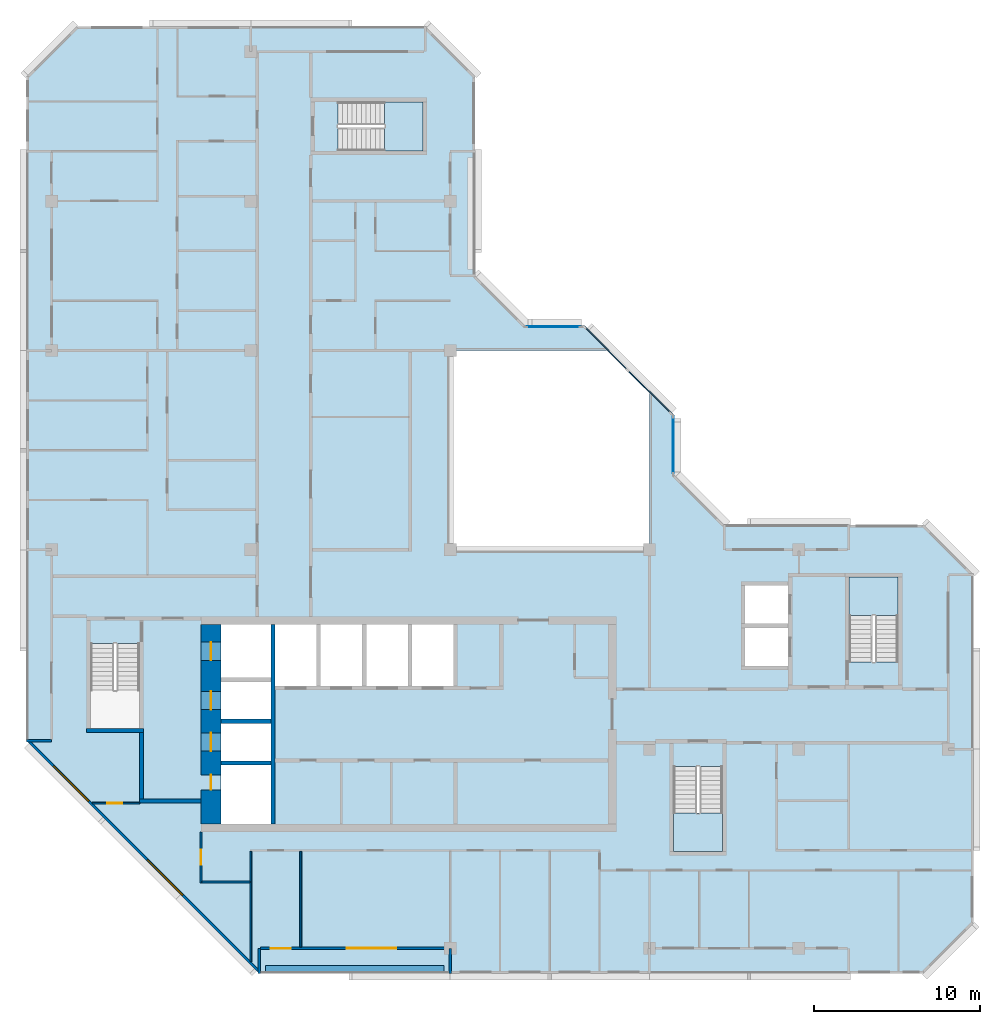
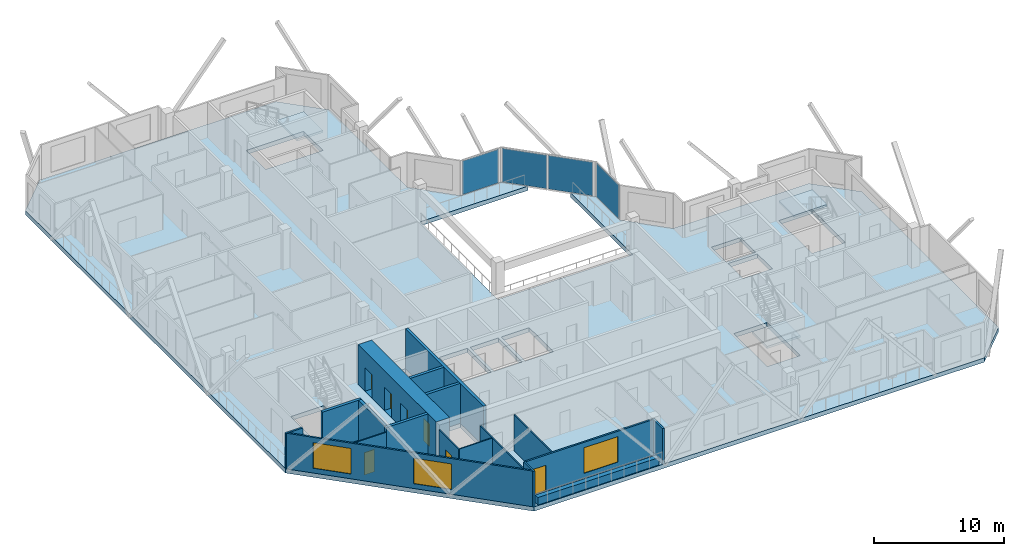
# One storey, part 3 of 12: 18 walls, 7 doors, 4 plates, 4 slabs, 3 windows, 10 openings, 6 elements without a shape of their own.
"""IFC4 building model written with IfcOpenShell, lengths in metres."""

from ifc_helpers import new_model, si_unit, direction, frame, frame_2d, origin, origin_2d, place, context, subcontext, project, spatial, polyline, rectangle, outline, extrude, material, layer, layer_set, type_object, element, fill, aggregate, save


model = new_model("IFC4")

# Units and contexts
model_context = context("Model", 3, precision=1e-05, world=origin(), true_north=direction((0.0, 1.0)))
body_context = subcontext(model_context, "Body", "Model", "MODEL_VIEW")
ifc_project = project(units=[si_unit("LENGTHUNIT", "METRE"), si_unit("AREAUNIT", "SQUARE_METRE"), si_unit("VOLUMEUNIT", "CUBIC_METRE"), si_unit("PLANEANGLEUNIT", "RADIAN"), si_unit("MASSUNIT", "GRAM", prefix="KILO")], contexts=[model_context])

# Site, building, storey
site_placement = place(None, origin())
site = spatial("IfcSite", under=ifc_project, at=site_placement, CompositionType="ELEMENT")
building_placement = place(site_placement, origin())
building = spatial("IfcBuilding", under=site, at=building_placement, Name="Chenar Terraces", CompositionType="ELEMENT")
storey_placement = place(building_placement, frame((0.0, 0.0, 361.39990234375)))
storey = spatial("IfcBuildingStorey", under=building, at=storey_placement, Name="L84", CompositionType="ELEMENT", Elevation=361.39990234375)

# Curtain wall, plate
ifc_material_1 = material(Name="Aluminium framed glazing", Category="aluminium")
ifc_layer_1 = layer(ifc_material_1, 0.14990234375)
ifc_layer_set_1 = layer_set([ifc_layer_1], Name="Aluminium framed glazing")
curtain_wall_type = type_object("IfcCurtainWallType", Name="Atrium upper-zone curtain wall", PredefinedType="NOTDEFINED", material=ifc_layer_set_1)
placement_1 = place(storey_placement, origin())
curtain_wall_1 = element("IfcCurtainWall", 1, at=placement_1, inside=storey, type_object=curtain_wall_type, Name="Atrium upper-zone curtain wall", PredefinedType="NOTDEFINED")
ifc_material_2 = material(Name="Low emissivity laminated glass, solar control coating", Category="glass")
ifc_layer_2 = layer(ifc_material_2, 0.050048828125)
ifc_layer_set_2 = layer_set([ifc_layer_2], Name="Low emissivity laminated glass, solar control coating")
plate_type = type_object("IfcPlateType", Name="Atrium upper-zone glazing panel 50", PredefinedType="CURTAIN_PANEL", material=ifc_layer_set_2)
plate_1_placement = place(storey_placement, frame((37.425048828125, 30.300048828125, 0.10009765625), z_axis=(0.0, 0.0, 1.0), x_axis=(0.0, 1.0, 0.0)))
plate_1 = element("IfcPlate", 2, at=plate_1_placement, type_object=plate_type, Name="CW8-1 panel 1.1", PredefinedType="CURTAIN_PANEL", context=body_context, shape_type="SweptSolid", body=[
    extrude(rectangle(XDim=3.39990234375, YDim=0.050048828125, at=origin_2d()), origin(), (0.0, 0.0, 1.0), 3.14990234375),
])
aggregate(curtain_wall_1, [plate_1])

# Curtain wall, plates
curtain_wall_2 = element("IfcCurtainWall", 3, at=placement_1, inside=storey, type_object=curtain_wall_type, Name="Atrium upper-zone curtain wall", PredefinedType="NOTDEFINED")
plate_2_placement = place(storey_placement, frame((35.97314453125, 33.520751953125, 0.10009765625), z_axis=(0.0, 0.0, 1.0), x_axis=(-0.707106781187, 0.707106781187, 0.0)))
plate_2 = element("IfcPlate", 4, at=plate_2_placement, type_object=plate_type, Name="CW8-2 panel 1.1", PredefinedType="CURTAIN_PANEL", context=body_context, shape_type="SweptSolid", body=[
    extrude(rectangle(XDim=3.568359375, YDim=0.050048828125, at=origin_2d()), origin(), (0.0, 0.0, 1.0), 3.14990234375),
])
plate_3_placement = place(storey_placement, frame((33.379150390625, 36.11474609375, 0.10009765625), z_axis=(0.0, 0.0, 1.0), x_axis=(-0.707106781187, 0.707106781187, 0.0)))
plate_3 = element("IfcPlate", 5, at=plate_3_placement, type_object=plate_type, Name="CW8-2 panel 2.1", PredefinedType="CURTAIN_PANEL", context=body_context, shape_type="SweptSolid", body=[
    extrude(rectangle(XDim=3.568359375, YDim=0.050048828125, at=origin_2d()), origin(), (0.0, 0.0, 1.0), 3.14990234375),
])
aggregate(curtain_wall_2, [plate_2, plate_3])

# Curtain wall, plate
curtain_wall_3 = element("IfcCurtainWall", 6, at=placement_1, inside=storey, type_object=curtain_wall_type, Name="Atrium upper-zone curtain wall", PredefinedType="NOTDEFINED")
plate_4_placement = place(storey_placement, frame((30.199951171875, 37.425048828125, 0.10009765625), z_axis=(0.0, 0.0, 1.0), x_axis=(-1.0, 0.0, 0.0)))
plate_4 = element("IfcPlate", 7, at=plate_4_placement, type_object=plate_type, Name="CW8-3 panel 1.1", PredefinedType="CURTAIN_PANEL", context=body_context, shape_type="SweptSolid", body=[
    extrude(rectangle(XDim=3.199951171875, YDim=0.050048828125, at=origin_2d()), origin(), (0.0, 0.0, 1.0), 3.14990234375),
])
aggregate(curtain_wall_3, [plate_4])

# Stair, slab
ifc_material_3 = material(Name="Reinforced concrete C40/50", Category="concrete")
stair_type = type_object("IfcStairType", Name="Core stair 1400 half-turn", PredefinedType="HALF_TURN_STAIR", material=ifc_material_3)
stair_1 = element("IfcStair", 8, at=placement_1, inside=storey, type_object=stair_type, Name="L84 Stair 2", PredefinedType="HALF_TURN_STAIR")
ifc_material_4 = material(Name="Reinforced concrete C40/50", Category="concrete")
ifc_layer_3 = layer(ifc_material_4, 0.199951171875)
ifc_layer_set_3 = layer_set([ifc_layer_3], Name="Reinforced concrete C40/50")
slab_type_1 = type_object("IfcSlabType", Name="Core stair landing 200", PredefinedType="LANDING", material=ifc_layer_set_3)
placement_2 = place(storey_placement, frame((0.0, 0.0, 1.675048828125)))
slab_1 = element("IfcSlab", 9, at=placement_2, type_object=slab_type_1, Name="ST2 landing 1", PredefinedType="LANDING", context=body_context, shape_type="SweptSolid", body=[
    extrude(outline(polyline([(37.449951171875, 8.14990234375), (37.449951171875, 5.85009765625), (40.39990234375, 5.85009765625), (40.39990234375, 8.14990234375), (37.449951171875, 8.14990234375)])), origin(), (0.0, 0.0, 1.0), 0.199951171875),
])
aggregate(stair_1, [slab_1])

stair_2 = element("IfcStair", 10, at=placement_1, inside=storey, type_object=stair_type, Name="L84 Stair 3", PredefinedType="HALF_TURN_STAIR")
slab_2 = element("IfcSlab", 11, at=placement_2, type_object=slab_type_1, Name="ST3 landing 1", PredefinedType="LANDING", context=body_context, shape_type="SweptSolid", body=[
    extrude(outline(polyline([(50.97509765625, 20.050048828125), (50.97509765625, 22.35009765625), (48.02490234375, 22.35009765625), (48.02490234375, 20.050048828125), (50.97509765625, 20.050048828125)])), origin(), (0.0, 0.0, 1.0), 0.199951171875),
])
aggregate(stair_2, [slab_2])

stair_3 = element("IfcStair", 12, at=placement_1, inside=storey, type_object=stair_type, Name="L84 Stair 4", PredefinedType="HALF_TURN_STAIR")
slab_3 = element("IfcSlab", 13, at=placement_2, type_object=slab_type_1, Name="ST4 landing 1", PredefinedType="LANDING", context=body_context, shape_type="SweptSolid", body=[
    extrude(outline(polyline([(20.050048828125, 48.02490234375), (22.35009765625, 48.02490234375), (22.35009765625, 50.97509765625), (20.050048828125, 50.97509765625), (20.050048828125, 48.02490234375)])), origin(), (0.0, 0.0, 1.0), 0.199951171875),
])
aggregate(stair_3, [slab_3])

# Slab
ifc_material_5 = material(Name="Concrete C40/50", Category="concrete")
ifc_layer_4 = layer(ifc_material_5, 0.39990234375)
ifc_layer_set_4 = layer_set([ifc_layer_4], Name="Concrete C40/50")
slab_type_2 = type_object("IfcSlabType", Name="Floor slab 400 Concrete C40/50", PredefinedType="FLOOR", material=ifc_layer_set_4)
slab_4_placement = place(storey_placement, frame((0.0, 0.0, -0.39990234375)))
element("IfcSlab", 14, at=slab_4_placement, inside=storey, type_object=slab_type_2, Name="Floor slab L84", PredefinedType="FLOOR", context=body_context, shape_type="SweptSolid", body=[
    extrude(outline(polyline([(55.5, 22.5), (55.5, 1.5), (52.5, -1.5), (12.5, -1.5), (-1.5, 12.5), (-1.5, 52.5), (1.5, 55.5), (22.5, 55.5), (25.5, 52.5), (25.5, 40.5), (28.5, 37.5), (32.10009765625, 37.5), (33.60009765625, 36.0), (24.0, 36.0), (24.0, 24.0), (36.0, 24.0), (36.0, 33.60009765625), (37.5, 32.10009765625), (37.5, 28.5), (40.5, 25.5), (52.5, 25.5), (55.5, 22.5)]), holes=[polyline([(10.199951171875, 11.050048828125), (10.199951171875, 7.5), (13.199951171875, 7.5), (13.199951171875, 11.050048828125), (10.199951171875, 11.050048828125)]), polyline([(13.199951171875, 13.550048828125), (10.199951171875, 13.550048828125), (10.199951171875, 11.300048828125), (13.199951171875, 11.300048828125), (13.199951171875, 13.550048828125)]), polyline([(13.199951171875, 16.050048828125), (10.199951171875, 16.050048828125), (10.199951171875, 13.800048828125), (13.199951171875, 13.800048828125), (13.199951171875, 16.050048828125)]), polyline([(2.35009765625, 13.25), (5.300048828125, 13.25), (5.300048828125, 18.35009765625), (2.35009765625, 18.35009765625), (2.35009765625, 13.25)]), polyline([(15.949951171875, 19.5), (13.449951171875, 19.5), (13.449951171875, 15.800048828125), (15.949951171875, 15.800048828125), (15.949951171875, 19.5)]), polyline([(18.699951171875, 19.5), (16.199951171875, 19.5), (16.199951171875, 15.800048828125), (18.699951171875, 15.800048828125), (18.699951171875, 19.5)]), polyline([(13.199951171875, 19.5), (10.199951171875, 19.5), (10.199951171875, 16.300048828125), (13.199951171875, 16.300048828125), (13.199951171875, 19.5)]), polyline([(22.35009765625, 48.02490234375), (22.35009765625, 50.97509765625), (17.25, 50.97509765625), (17.25, 48.02490234375), (22.35009765625, 48.02490234375)]), polyline([(37.449951171875, 5.85009765625), (40.39990234375, 5.85009765625), (40.39990234375, 10.949951171875), (37.449951171875, 10.949951171875), (37.449951171875, 5.85009765625)]), polyline([(21.449951171875, 19.5), (18.949951171875, 19.5), (18.949951171875, 15.800048828125), (21.449951171875, 15.800048828125), (21.449951171875, 19.5)]), polyline([(24.199951171875, 19.5), (21.699951171875, 19.5), (21.699951171875, 15.800048828125), (24.199951171875, 15.800048828125), (24.199951171875, 19.5)]), polyline([(44.35009765625, 19.300048828125), (41.75, 19.300048828125), (41.75, 17.0), (44.35009765625, 17.0), (44.35009765625, 19.300048828125)]), polyline([(50.97509765625, 22.35009765625), (48.02490234375, 22.35009765625), (48.02490234375, 17.25), (50.97509765625, 17.25), (50.97509765625, 22.35009765625)]), polyline([(44.35009765625, 21.85009765625), (41.75, 21.85009765625), (41.75, 19.550048828125), (44.35009765625, 19.550048828125), (44.35009765625, 21.85009765625)])]), origin(), (0.0, 0.0, 1.0), 0.39990234375),
])

# Wall, openings, doors
ifc_material_6 = material(Name="Concrete C50/60", Category="concrete")
ifc_layer_5 = layer(ifc_material_6, 1.199951171875)
ifc_layer_set_5 = layer_set([ifc_layer_5], Name="Concrete C50/60")
wall_type_1 = type_object("IfcWallType", Name="Core wall 1200 Concrete C50/60", PredefinedType="SHEAR", material=ifc_layer_set_5)
wall_1_placement = place(storey_placement, frame((9.60009765625, 7.5, 0.0), z_axis=(0.0, 0.0, 1.0), x_axis=(0.0, 1.0, 0.0)))
wall_1 = element("IfcWall", 15, at=wall_1_placement, inside=storey, type_object=wall_type_1, Name="Core wall W L84", PredefinedType="SHEAR", context=body_context, shape_type="SweptSolid", body=[
    extrude(rectangle(XDim=12.0, YDim=1.199951171875, at=frame_2d((6.0, 0.0))), origin(), (0.0, 0.0, 1.0), 3.75),
])
opening_1_placement = place(wall_1_placement, frame((4.375, 0.0, 0.0)))
opening_1 = element("IfcOpeningElement", 16, at=opening_1_placement, cuts=wall_1, Name="Opening DL84-LD5", PredefinedType="OPENING", context=body_context, shape_type="SweptSolid", body=[
    extrude(rectangle(XDim=1.10009765625, YDim=2.199951171875, at=frame_2d((0.550048828125, 1.10009765625))), frame((0.0, 0.60986328125, 0.0), z_axis=(0.0, -1.0, 0.0), x_axis=(1.0, 0.0, 0.0)), (0.0, 0.0, 1.0), 1.219970703125),
])
opening_2_placement = place(wall_1_placement, frame((6.875, 0.0, 0.0)))
opening_2 = element("IfcOpeningElement", 17, at=opening_2_placement, cuts=wall_1, Name="Opening DL84-LD6", PredefinedType="OPENING", context=body_context, shape_type="SweptSolid", body=[
    extrude(rectangle(XDim=1.10009765625, YDim=2.199951171875, at=frame_2d((0.550048828125, 1.10009765625))), frame((0.0, 0.60986328125, 0.0), z_axis=(0.0, -1.0, 0.0), x_axis=(1.0, 0.0, 0.0)), (0.0, 0.0, 1.0), 1.219970703125),
])
opening_3_placement = place(wall_1_placement, frame((9.85009765625, 0.0, 0.0)))
opening_3 = element("IfcOpeningElement", 18, at=opening_3_placement, cuts=wall_1, Name="Opening DL84-LD7", PredefinedType="OPENING", context=body_context, shape_type="SweptSolid", body=[
    extrude(rectangle(XDim=1.10009765625, YDim=2.199951171875, at=frame_2d((0.550048828125, 1.10009765625))), frame((0.0, 0.60986328125, 0.0), z_axis=(0.0, -1.0, 0.0), x_axis=(1.0, 0.0, 0.0)), (0.0, 0.0, 1.0), 1.219970703125),
])
opening_4_placement = place(wall_1_placement, frame((2.050048828125, 0.0, 0.0)))
opening_4 = element("IfcOpeningElement", 19, at=opening_4_placement, cuts=wall_1, Name="Opening DL84-C4", PredefinedType="OPENING", context=body_context, shape_type="SweptSolid", body=[
    extrude(rectangle(XDim=0.89990234375, YDim=2.10009765625, at=frame_2d((0.449951171875, 1.050048828125))), frame((0.0, 0.60986328125, 0.0), z_axis=(0.0, -1.0, 0.0), x_axis=(1.0, 0.0, 0.0)), (0.0, 0.0, 1.0), 1.219970703125),
])
ifc_material_7 = material(Name="Stainless steel", Category="steel")
door_type_1 = type_object("IfcDoorType", Name="Lift landing door 1100 x 2200 sliding", OperationType="DOUBLE_DOOR_SLIDING", PredefinedType="DOOR", material=ifc_material_7)
door_1_placement = place(opening_1_placement, origin())
door_1 = element("IfcDoor", 20, at=door_1_placement, inside=storey, type_object=door_type_1, Name="Landing door S1", OperationType="DOUBLE_DOOR_SLIDING", OverallHeight=2.199951171875, OverallWidth=1.10009765625, PredefinedType="DOOR", context=body_context, shape_type="SweptSolid", body=[
    extrude(rectangle(XDim=1.10009765625, YDim=2.199951171875, at=frame_2d((0.550048828125, 1.10009765625))), frame((0.0, 0.02490234375, 0.0), z_axis=(0.0, -1.0, 0.0), x_axis=(1.0, 0.0, 0.0)), (0.0, 0.0, 1.0), 0.050048828125),
])
fill(opening_1, door_1)
door_2_placement = place(opening_2_placement, origin())
door_2 = element("IfcDoor", 21, at=door_2_placement, inside=storey, type_object=door_type_1, Name="Landing door F1", OperationType="DOUBLE_DOOR_SLIDING", OverallHeight=2.199951171875, OverallWidth=1.10009765625, PredefinedType="DOOR", context=body_context, shape_type="SweptSolid", body=[
    extrude(rectangle(XDim=1.10009765625, YDim=2.199951171875, at=frame_2d((0.550048828125, 1.10009765625))), frame((0.0, 0.02490234375, 0.0), z_axis=(0.0, -1.0, 0.0), x_axis=(1.0, 0.0, 0.0)), (0.0, 0.0, 1.0), 0.050048828125),
])
fill(opening_2, door_2)
door_3_placement = place(opening_3_placement, origin())
door_3 = element("IfcDoor", 22, at=door_3_placement, inside=storey, type_object=door_type_1, Name="Landing door F2", OperationType="DOUBLE_DOOR_SLIDING", OverallHeight=2.199951171875, OverallWidth=1.10009765625, PredefinedType="DOOR", context=body_context, shape_type="SweptSolid", body=[
    extrude(rectangle(XDim=1.10009765625, YDim=2.199951171875, at=frame_2d((0.550048828125, 1.10009765625))), frame((0.0, 0.02490234375, 0.0), z_axis=(0.0, -1.0, 0.0), x_axis=(1.0, 0.0, 0.0)), (0.0, 0.0, 1.0), 0.050048828125),
])
fill(opening_3, door_3)
ifc_material_8 = material(Name="Steel-framed fire-resisting door leaf", Category="steel")
door_type_2 = type_object("IfcDoorType", Name="Riser fire door FD60 900 x 2100", OperationType="SINGLE_SWING_LEFT", PredefinedType="DOOR", material=ifc_material_8)
door_4_placement = place(opening_4_placement, frame((0.89990234375, 0.0, 0.0), z_axis=(0.0, 0.0, 1.0), x_axis=(-1.0, 0.0, 0.0)))
door_4 = element("IfcDoor", 23, at=door_4_placement, inside=storey, type_object=door_type_2, Name="Riser door DL84-C4", OperationType="SINGLE_SWING_LEFT", OverallHeight=2.10009765625, OverallWidth=0.89990234375, PredefinedType="DOOR", context=body_context, shape_type="SweptSolid", body=[
    extrude(rectangle(XDim=0.89990234375, YDim=2.10009765625, at=frame_2d((0.449951171875, 1.050048828125))), frame((0.0, 0.02490234375, 0.0), z_axis=(0.0, -1.0, 0.0), x_axis=(1.0, 0.0, 0.0)), (0.0, 0.0, 1.0), 0.050048828125),
])
fill(opening_4, door_4)

# Walls
ifc_material_9 = material(Name="Concrete C50/60", Category="concrete")
ifc_layer_6 = layer(ifc_material_9, 0.25)
ifc_layer_set_6 = layer_set([ifc_layer_6], Name="Concrete C50/60")
wall_type_2 = type_object("IfcWallType", Name="Core wall 250 Concrete C50/60", PredefinedType="SHEAR", material=ifc_layer_set_6)
wall_2_placement = place(storey_placement, frame((13.324951171875, 7.5, 0.0), z_axis=(0.0, 0.0, 1.0), x_axis=(0.0, 1.0, 0.0)))
element("IfcWall", 24, at=wall_2_placement, inside=storey, type_object=wall_type_2, Name="Core wall WI L84", PredefinedType="SHEAR", context=body_context, shape_type="SweptSolid", body=[
    extrude(rectangle(XDim=12.0, YDim=0.25, at=frame_2d((6.0, 0.0))), origin(), (0.0, 0.0, 1.0), 3.75),
])
for number, where, z_axis, x_axis, name in (
    (25, (10.199951171875, 11.175048828125, 0.0), (0.0, 0.0, 1.0), (1.0, 0.0, 0.0), "Core wall HW0 L84"),
    (26, (10.199951171875, 13.675048828125, 0.0), (0.0, 0.0, 1.0), (1.0, 0.0, 0.0), "Core wall HW1 L84"),
):
    element("IfcWall", number, at=place(storey_placement, frame(where, z_axis=z_axis, x_axis=x_axis)), inside=storey, type_object=wall_type_2, Name=name, PredefinedType="SHEAR", context=body_context, shape_type="SweptSolid", body=[
        extrude(rectangle(XDim=3.0, YDim=0.25, at=frame_2d((1.5, 0.0))), origin(), (0.0, 0.0, 1.0), 3.75),
    ])
wall_3_placement = place(storey_placement, frame((2.10009765625, 13.125, 0.0), z_axis=(0.0, 0.0, 1.0), x_axis=(1.0, 0.0, 0.0)))
element("IfcWall", 27, at=wall_3_placement, inside=storey, type_object=wall_type_2, Name="Core wall ST1_S L84", PredefinedType="SHEAR", context=body_context, shape_type="SweptSolid", body=[
    extrude(rectangle(XDim=3.449951171875, YDim=0.25, at=frame_2d((1.72509765625, 0.0))), origin(), (0.0, 0.0, 1.0), 3.75),
])
wall_4_placement = place(storey_placement, frame((5.300048828125, 8.875, 0.0), z_axis=(0.0, 0.0, 1.0), x_axis=(1.0, 0.0, 0.0)))
element("IfcWall", 28, at=wall_4_placement, inside=storey, type_object=wall_type_2, Name="Core wall FFL_S L84", PredefinedType="SHEAR", context=body_context, shape_type="SweptSolid", body=[
    extrude(rectangle(XDim=3.699951171875, YDim=0.25, at=frame_2d((1.85009765625, 0.0))), origin(), (0.0, 0.0, 1.0), 3.75),
])
wall_5_placement = place(storey_placement, frame((5.425048828125, 9.0, 0.0), z_axis=(0.0, 0.0, 1.0), x_axis=(0.0, 1.0, 0.0)))
element("IfcWall", 29, at=wall_5_placement, inside=storey, type_object=wall_type_2, Name="Core wall FFL_W L84", PredefinedType="SHEAR", context=body_context, shape_type="SweptSolid", body=[
    extrude(rectangle(XDim=4.0, YDim=0.25, at=frame_2d((2.0, 0.0))), origin(), (0.0, 0.0, 1.0), 3.75),
])

# Wall, openings, window, door
ifc_material_10 = material(Name="Aluminium framed glazing", Category="aluminium")
ifc_layer_7 = layer(ifc_material_10, 0.14990234375)
ifc_layer_set_7 = layer_set([ifc_layer_7], Name="Aluminium framed glazing")
wall_type_3 = type_object("IfcWallType", Name="Glazed loggia back wall 150", PredefinedType="SOLIDWALL", material=ifc_layer_set_7)
wall_6_placement = place(storey_placement, frame((12.574951171875, 0.0, 0.0), z_axis=(0.0, 0.0, 1.0), x_axis=(1.0, 0.0, 0.0)))
wall_6 = element("IfcWall", 30, at=wall_6_placement, inside=storey, type_object=wall_type_3, Name="Glazed loggia back wall", PredefinedType="SOLIDWALL", context=body_context, shape_type="SweptSolid", body=[
    extrude(rectangle(XDim=11.35009765625, YDim=0.14990234375, at=frame_2d((5.675048828125, 0.0))), origin(), (0.0, 0.0, 1.0), 3.35009765625),
])
opening_5_placement = place(wall_6_placement, frame((0.612548828125, 0.0, 0.0)))
opening_5 = element("IfcOpeningElement", 31, at=opening_5_placement, cuts=wall_6, Name="Opening DL84-G3", PredefinedType="OPENING", context=body_context, shape_type="SweptSolid", body=[
    extrude(rectangle(XDim=1.199951171875, YDim=2.39990234375, at=frame_2d((0.60009765625, 1.199951171875))), frame((0.0, 0.0849609375, 0.0), z_axis=(0.0, -1.0, 0.0), x_axis=(1.0, 0.0, 0.0)), (0.0, 0.0, 1.0), 0.169921875),
])
opening_6_placement = place(wall_6_placement, frame((5.1875, 0.0, 0.449951171875)))
opening_6 = element("IfcOpeningElement", 32, at=opening_6_placement, cuts=wall_6, Name="Opening W300x240", PredefinedType="OPENING", context=body_context, shape_type="SweptSolid", body=[
    extrude(rectangle(XDim=3.0, YDim=2.39990234375, at=frame_2d((1.5, 1.199951171875))), frame((0.0, 0.0849609375, 0.0), z_axis=(0.0, -1.0, 0.0), x_axis=(1.0, 0.0, 0.0)), (0.0, 0.0, 1.0), 0.169921875),
])
ifc_material_11 = material(Name="Low emissivity double glazing, aluminium frame", Category="aluminium")
window_type = type_object("IfcWindowType", Name="Fixed light 3000 x 2400", PartitioningType="SINGLE_PANEL", PredefinedType="WINDOW", material=ifc_material_11)
window_1_placement = place(opening_6_placement, origin())
window_1 = element("IfcWindow", 33, at=window_1_placement, inside=storey, type_object=window_type, Name="Window", OverallHeight=2.39990234375, OverallWidth=3.0, PartitioningType="SINGLE_PANEL", PredefinedType="WINDOW", context=body_context, shape_type="SweptSolid", body=[
    extrude(rectangle(XDim=3.0, YDim=2.39990234375, at=frame_2d((1.5, 1.199951171875))), frame((0.0, 0.030029296875, 0.0), z_axis=(0.0, -1.0, 0.0), x_axis=(1.0, 0.0, 0.0)), (0.0, 0.0, 1.0), 0.06005859375),
])
fill(opening_6, window_1)
ifc_material_12 = material(Name="Low emissivity double glazing, aluminium frame", Category="aluminium")
door_type_3 = type_object("IfcDoorType", Name="Loggia glazed double door 1200 x 2400", OperationType="DOUBLE_DOOR_SINGLE_SWING", PredefinedType="DOOR", material=ifc_material_12)
door_5_placement = place(opening_5_placement, frame((1.199951171875, 0.0, 0.0), z_axis=(0.0, 0.0, 1.0), x_axis=(-1.0, 0.0, 0.0)))
door_5 = element("IfcDoor", 34, at=door_5_placement, inside=storey, type_object=door_type_3, Name="Loggia glazed door", OperationType="DOUBLE_DOOR_SINGLE_SWING", OverallHeight=2.39990234375, OverallWidth=1.199951171875, PredefinedType="DOOR", context=body_context, shape_type="SweptSolid", body=[
    extrude(rectangle(XDim=1.199951171875, YDim=2.39990234375, at=frame_2d((0.60009765625, 1.199951171875))), frame((0.0, 0.02490234375, 0.0), z_axis=(0.0, -1.0, 0.0), x_axis=(1.0, 0.0, 0.0)), (0.0, 0.0, 1.0), 0.050048828125),
])
fill(opening_5, door_5)

# Wall, opening, door
ifc_material_13 = material(Name="Gypsum board on steel studs", Category="steel")
ifc_layer_8 = layer(ifc_material_13, 0.10009765625)
ifc_layer_set_8 = layer_set([ifc_layer_8], Name="Gypsum board on steel studs")
wall_type_4 = type_object("IfcWallType", Name="Gypsum partition 100", PredefinedType="PARTITIONING", material=ifc_layer_set_8)
wall_7_placement = place(storey_placement, frame((2.4609375, 8.75, 0.0), z_axis=(0.0, 0.0, 1.0), x_axis=(1.0, 0.0, 0.0)))
wall_7 = element("IfcWall", 35, at=wall_7_placement, inside=storey, type_object=wall_type_4, Name="Partition L84-011", PredefinedType="PARTITIONING", context=body_context, shape_type="SweptSolid", body=[
    extrude(rectangle(XDim=2.839111328125, YDim=0.10009765625, at=frame_2d((1.41943359375, 0.0))), origin(), (0.0, 0.0, 1.0), 3.35009765625),
])
opening_7_placement = place(wall_7_placement, frame((0.888916015625, 0.0, 0.0)))
opening_7 = element("IfcOpeningElement", 36, at=opening_7_placement, cuts=wall_7, Name="Opening DL84-34", PredefinedType="OPENING", context=body_context, shape_type="SweptSolid", body=[
    extrude(rectangle(XDim=0.89990234375, YDim=2.10009765625, at=frame_2d((0.449951171875, 1.050048828125))), frame((0.0, 0.06005859375, 0.0), z_axis=(0.0, -1.0, 0.0), x_axis=(1.0, 0.0, 0.0)), (0.0, 0.0, 1.0), 0.1201171875),
])
ifc_material_14 = material(Name="Veneered timber door leaf", Category="wood")
door_type_4 = type_object("IfcDoorType", Name="Door 900 x 2100", OperationType="SINGLE_SWING_LEFT", PredefinedType="DOOR", material=ifc_material_14)
door_6_placement = place(opening_7_placement, frame((0.89990234375, 0.0, 0.0), z_axis=(0.0, 0.0, 1.0), x_axis=(-1.0, 0.0, 0.0)))
door_6 = element("IfcDoor", 37, at=door_6_placement, inside=storey, type_object=door_type_4, Name="Door DL84-34", OperationType="SINGLE_SWING_RIGHT", OverallHeight=2.10009765625, OverallWidth=0.89990234375, PredefinedType="DOOR", context=body_context, shape_type="SweptSolid", body=[
    extrude(rectangle(XDim=0.89990234375, YDim=2.10009765625, at=frame_2d((0.449951171875, 1.050048828125))), frame((0.0, 0.02490234375, 0.0), z_axis=(0.0, -1.0, 0.0), x_axis=(1.0, 0.0, 0.0)), (0.0, 0.0, 1.0), 0.050048828125),
])
fill(opening_7, door_6)

wall_8_placement = place(storey_placement, frame((9.0, 3.949951171875, 0.0), z_axis=(0.0, 0.0, 1.0), x_axis=(0.0, 1.0, 0.0)))
wall_8 = element("IfcWall", 38, at=wall_8_placement, inside=storey, type_object=wall_type_4, Name="Partition L84-026", PredefinedType="PARTITIONING", context=body_context, shape_type="SweptSolid", body=[
    extrude(rectangle(XDim=3.050048828125, YDim=0.10009765625, at=frame_2d((1.52490234375, 0.0))), origin(), (0.0, 0.0, 1.0), 3.35009765625),
])
opening_8_placement = place(wall_8_placement, frame((1.10009765625, 0.0, 0.0)))
opening_8 = element("IfcOpeningElement", 39, at=opening_8_placement, cuts=wall_8, Name="Opening DL84-33", PredefinedType="OPENING", context=body_context, shape_type="SweptSolid", body=[
    extrude(rectangle(XDim=0.89990234375, YDim=2.10009765625, at=frame_2d((0.449951171875, 1.050048828125))), frame((0.0, 0.06005859375, 0.0), z_axis=(0.0, -1.0, 0.0), x_axis=(1.0, 0.0, 0.0)), (0.0, 0.0, 1.0), 0.1201171875),
])
door_7_placement = place(opening_8_placement, origin())
door_7 = element("IfcDoor", 40, at=door_7_placement, inside=storey, type_object=door_type_4, Name="Door DL84-33", OperationType="SINGLE_SWING_LEFT", OverallHeight=2.10009765625, OverallWidth=0.89990234375, PredefinedType="DOOR", context=body_context, shape_type="SweptSolid", body=[
    extrude(rectangle(XDim=0.89990234375, YDim=2.10009765625, at=frame_2d((0.449951171875, 1.050048828125))), frame((0.0, 0.02490234375, 0.0), z_axis=(0.0, -1.0, 0.0), x_axis=(1.0, 0.0, 0.0)), (0.0, 0.0, 1.0), 0.050048828125),
])
fill(opening_8, door_7)

# Walls
wall_9_placement = place(storey_placement, frame((9.050048828125, 4.0, 0.0), z_axis=(0.0, 0.0, 1.0), x_axis=(1.0, 0.0, 0.0)))
element("IfcWall", 41, at=wall_9_placement, inside=storey, type_object=wall_type_4, Name="Partition L84-027", PredefinedType="PARTITIONING", context=body_context, shape_type="SweptSolid", body=[
    extrude(rectangle(XDim=2.89990234375, YDim=0.10009765625, at=frame_2d((1.449951171875, 0.0))), origin(), (0.0, 0.0, 1.0), 3.35009765625),
])
wall_10_placement = place(storey_placement, frame((12.0, -0.787841796875, 0.0), z_axis=(0.0, 0.0, 1.0), x_axis=(0.0, 1.0, 0.0)))
element("IfcWall", 42, at=wall_10_placement, inside=storey, type_object=wall_type_4, Name="Partition L84-029", PredefinedType="PARTITIONING", context=body_context, shape_type="SweptSolid", body=[
    extrude(rectangle(XDim=6.637939453125, YDim=0.10009765625, at=frame_2d((3.31884765625, 0.0))), origin(), (0.0, 0.0, 1.0), 3.35009765625),
])
wall_11_placement = place(storey_placement, frame((15.0, 0.073974609375, 0.0), z_axis=(0.0, 0.0, 1.0), x_axis=(0.0, 1.0, 0.0)))
element("IfcWall", 43, at=wall_11_placement, inside=storey, type_object=wall_type_4, Name="Partition L84-031", PredefinedType="PARTITIONING", context=body_context, shape_type="SweptSolid", body=[
    extrude(rectangle(XDim=5.776123046875, YDim=0.10009765625, at=frame_2d((2.88818359375, 0.0))), origin(), (0.0, 0.0, 1.0), 3.35009765625),
])
ifc_material_15 = material(Name="Terracotta cladding on insulated backing", Category="masonry")
ifc_layer_9 = layer(ifc_material_15, 0.14990234375)
ifc_layer_set_9 = layer_set([ifc_layer_9], Name="Terracotta cladding on insulated backing")
wall_type_5 = type_object("IfcWallType", Name="Loggia return wall 150", PredefinedType="SOLIDWALL", material=ifc_layer_set_9)
for number, where, z_axis, x_axis, name in (
    (44, (-1.5, 12.5, 0.0), (0.0, 0.0, 1.0), (1.0, 0.0, 0.0), "Loggia return wall"),
    (45, (12.5, -1.5, 0.0), (0.0, 0.0, 1.0), (0.0, 1.0, 0.0), "Loggia return wall"),
    (46, (24.0, -1.5, 0.0), (0.0, 0.0, 1.0), (0.0, 1.0, 0.0), "Loggia return wall"),
):
    element("IfcWall", number, at=place(storey_placement, frame(where, z_axis=z_axis, x_axis=x_axis)), inside=storey, type_object=wall_type_5, Name=name, PredefinedType="SOLIDWALL", context=body_context, shape_type="SweptSolid", body=[
        extrude(rectangle(XDim=1.5, YDim=0.14990234375, at=frame_2d((0.75, 0.0))), origin(), (0.0, 0.0, 1.0), 3.35009765625),
    ])

# Wall, openings, windows
ifc_material_16 = material(Name="Terracotta cladding on insulated backing", Category="masonry")
ifc_layer_10 = layer(ifc_material_16, 0.14990234375)
ifc_layer_set_10 = layer_set([ifc_layer_10], Name="Terracotta cladding on insulated backing")
wall_type_6 = type_object("IfcWallType", Name="Terracotta rainscreen wall 150", PredefinedType="SOLIDWALL", material=ifc_layer_set_10)
wall_12_placement = place(storey_placement, frame((-1.447021484375, 12.552978515625, 0.0), z_axis=(0.0, 0.0, 1.0), x_axis=(0.707106781187, -0.707106781187, 0.0)))
wall_12 = element("IfcWall", 47, at=wall_12_placement, inside=storey, type_object=wall_type_6, Name="Terracotta rainscreen wall", PredefinedType="SOLIDWALL", context=body_context, shape_type="SweptSolid", body=[
    extrude(rectangle(XDim=19.799072265625, YDim=0.14990234375, at=frame_2d((9.8994140625, 0.0))), origin(), (0.0, 0.0, 1.0), 3.35009765625),
])
opening_9_placement = place(wall_12_placement, frame((2.21240234375, 0.0, 0.449951171875)))
opening_9 = element("IfcOpeningElement", 48, at=opening_9_placement, cuts=wall_12, Name="Opening W300x240", PredefinedType="OPENING", context=body_context, shape_type="SweptSolid", body=[
    extrude(rectangle(XDim=3.0, YDim=2.39990234375, at=frame_2d((1.5, 1.199951171875))), frame((0.0, 0.0849609375, 0.0), z_axis=(0.0, -1.0, 0.0), x_axis=(1.0, 0.0, 0.0)), (0.0, 0.0, 1.0), 0.169921875),
])
opening_10_placement = place(wall_12_placement, frame((10.215576171875, 0.0, 0.449951171875)))
opening_10 = element("IfcOpeningElement", 49, at=opening_10_placement, cuts=wall_12, Name="Opening W300x240", PredefinedType="OPENING", context=body_context, shape_type="SweptSolid", body=[
    extrude(rectangle(XDim=3.0, YDim=2.39990234375, at=frame_2d((1.5, 1.199951171875))), frame((0.0, 0.0849609375, 0.0), z_axis=(0.0, -1.0, 0.0), x_axis=(1.0, 0.0, 0.0)), (0.0, 0.0, 1.0), 0.169921875),
])
window_2_placement = place(opening_9_placement, origin())
window_2 = element("IfcWindow", 50, at=window_2_placement, inside=storey, type_object=window_type, Name="Window", OverallHeight=2.39990234375, OverallWidth=3.0, PartitioningType="SINGLE_PANEL", PredefinedType="WINDOW", context=body_context, shape_type="SweptSolid", body=[
    extrude(rectangle(XDim=3.0, YDim=2.39990234375, at=frame_2d((1.5, 1.199951171875))), frame((0.0, 0.030029296875, 0.0), z_axis=(0.0, -1.0, 0.0), x_axis=(1.0, 0.0, 0.0)), (0.0, 0.0, 1.0), 0.06005859375),
])
fill(opening_9, window_2)
window_3_placement = place(opening_10_placement, origin())
window_3 = element("IfcWindow", 51, at=window_3_placement, inside=storey, type_object=window_type, Name="Window", OverallHeight=2.39990234375, OverallWidth=3.0, PartitioningType="SINGLE_PANEL", PredefinedType="WINDOW", context=body_context, shape_type="SweptSolid", body=[
    extrude(rectangle(XDim=3.0, YDim=2.39990234375, at=frame_2d((1.5, 1.199951171875))), frame((0.0, 0.030029296875, 0.0), z_axis=(0.0, -1.0, 0.0), x_axis=(1.0, 0.0, 0.0)), (0.0, 0.0, 1.0), 0.06005859375),
])
fill(opening_10, window_3)

# Wall
ifc_material_17 = material(Name="GRP planter trough")
ifc_layer_11 = layer(ifc_material_17, 0.39990234375)
ifc_layer_set_11 = layer_set([ifc_layer_11], Name="GRP planter trough")
wall_type_7 = type_object("IfcWallType", Name="Vertical greenery planter 400", PredefinedType="SOLIDWALL", material=ifc_layer_set_11)
wall_13_placement = place(storey_placement, frame((12.875, -1.22900390625, 0.0), z_axis=(0.0, 0.0, 1.0), x_axis=(1.0, 0.0, 0.0)))
element("IfcWall", 52, at=wall_13_placement, inside=storey, type_object=wall_type_7, Name="Vertical greenery planter", PredefinedType="SOLIDWALL", context=body_context, shape_type="SweptSolid", body=[
    extrude(rectangle(XDim=10.75, YDim=0.39990234375, at=frame_2d((5.375, 0.0))), origin(), (0.0, 0.0, 1.0), 0.7001953125),
])

save(model, "model.ifc")
